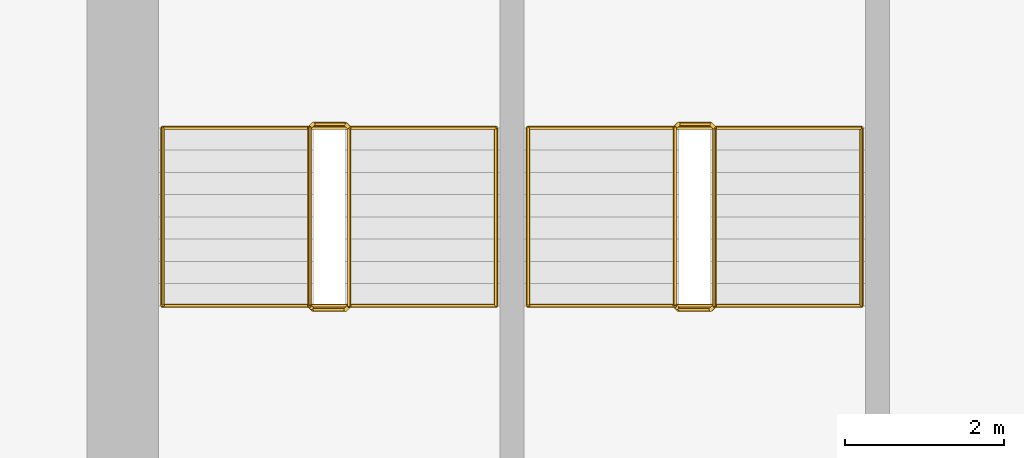
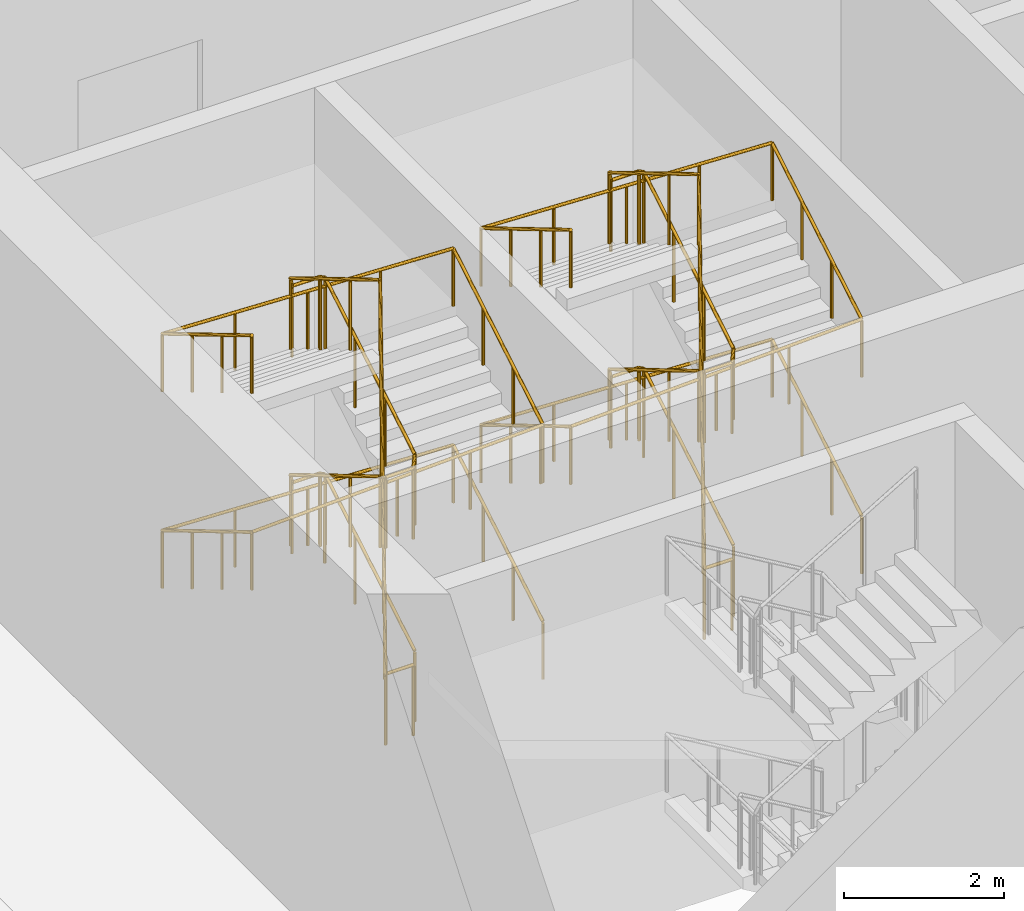
# One storey, part 39 of 47: 4 railings.
"""IFC4 building model written with IfcOpenShell, lengths in metres."""

from ifc_helpers import new_model, si_unit, direction, frame, origin, origin_2d, place, context, subcontext, project, spatial, circle, extrude, material, type_object, element, save


model = new_model("IFC4")

# Units and contexts
model_context = context("Model", 3, precision=1e-05, world=origin(), true_north=direction((0.0, 1.0)))
body_context = subcontext(model_context, "Body", "Model", "MODEL_VIEW")
ifc_project = project(units=[si_unit("LENGTHUNIT", "METRE"), si_unit("AREAUNIT", "SQUARE_METRE"), si_unit("VOLUMEUNIT", "CUBIC_METRE"), si_unit("PLANEANGLEUNIT", "RADIAN"), si_unit("MASSUNIT", "GRAM", prefix="KILO")], contexts=[model_context])

# Site, building, storey
site_placement = place(None, origin())
site = spatial("IfcSite", under=ifc_project, at=site_placement, CompositionType="ELEMENT")
building_placement = place(site_placement, origin())
building = spatial("IfcBuilding", under=site, at=building_placement, Name="Hunhe Ridgeline Campus", CompositionType="ELEMENT")
storey_placement = place(building_placement, origin())
storey = spatial("IfcBuildingStorey", under=building, at=storey_placement, Name="L00", CompositionType="ELEMENT", Elevation=0.0)

# Railings
ifc_material_1 = material(Name="Stainless steel balustrade", Category="steel")
railing_type_1 = type_object("IfcRailingType", Name="Stair guard 1100 stainless", PredefinedType="GUARDRAIL", material=ifc_material_1)
railing_1_placement = place(storey_placement, frame((3.300048828125, 65.449951171875, 0.166748046875)))
element("IfcRailing", 1, at=railing_1_placement, inside=storey, type_object=railing_type_1, Name="L00 stair S3 guard", PredefinedType="GUARDRAIL", context=body_context, shape_type="SweptSolid", body=[
    extrude(circle(Radius=0.02392578125, at=origin_2d()), frame((0.0, 0.0, 1.076171875), z_axis=(0.0, 0.859305625298, 0.511462454469), x_axis=(-1.0, 0.0, 0.0)), (0.0, 0.0, 1.0), 2.606689453125),
    extrude(circle(Radius=0.02392578125, at=origin_2d()), frame((0.0, 2.239990234375, 2.4091796875), z_axis=(-0.707106781187, 0.707106781187, 0.0), x_axis=(-0.707106781187, -0.707106781187, 0.0)), (0.0, 0.0, 1.0), 0.07080078125),
    extrude(circle(Radius=0.02392578125, at=origin_2d()), frame((-0.050048828125, 2.2900390625, 2.4091796875), z_axis=(-1.0, 0.0, 0.0), x_axis=(0.0, -1.0, 0.0)), (0.0, 0.0, 1.0), 0.39990234375),
    extrude(circle(Radius=0.02392578125, at=origin_2d()), frame((-0.449951171875, 2.2900390625, 2.4091796875), z_axis=(-0.27628659633, -0.27628659633, 0.920506074601), x_axis=(0.707106781187, -0.707106781187, 0.0)), (0.0, 0.0, 1.0), 0.18115234375),
    extrude(circle(Radius=0.02392578125, at=origin_2d()), frame((-0.5, 2.239990234375, 2.576171875), z_axis=(0.0, -0.859305625298, 0.511462454469), x_axis=(1.0, 0.0, 0.0)), (0.0, 0.0, 1.0), 2.606689453125),
    extrude(circle(Radius=0.02392578125, at=origin_2d()), frame((-0.5, 0.0, 3.9091796875), z_axis=(0.707106781187, -0.707106781187, 0.0), x_axis=(0.707106781187, 0.707106781187, 0.0)), (0.0, 0.0, 1.0), 0.07080078125),
    extrude(circle(Radius=0.02392578125, at=origin_2d()), frame((-0.449951171875, -0.050048828125, 3.9091796875), z_axis=(1.0, 0.0, 0.0), x_axis=(0.0, 1.0, 0.0)), (0.0, 0.0, 1.0), 0.39990234375),
    extrude(circle(Radius=0.02392578125, at=origin_2d()), frame((-0.050048828125, -0.050048828125, 3.9091796875), z_axis=(0.27628659633, 0.27628659633, 0.920506074601), x_axis=(-0.707106781187, 0.707106781187, 0.0)), (0.0, 0.0, 1.0), 0.18115234375),
    extrude(circle(Radius=0.02392578125, at=origin_2d()), frame((0.0, 0.0, 4.076171875), z_axis=(0.0, 0.859305625298, 0.511462454469), x_axis=(-1.0, 0.0, 0.0)), (0.0, 0.0, 1.0), 2.606689453125),
    extrude(circle(Radius=0.02392578125, at=origin_2d()), frame((0.0, 2.239990234375, 5.4091796875), z_axis=(-0.707106781187, 0.707106781187, 0.0), x_axis=(-0.707106781187, -0.707106781187, 0.0)), (0.0, 0.0, 1.0), 0.07080078125),
    extrude(circle(Radius=0.02392578125, at=origin_2d()), frame((-0.050048828125, 2.2900390625, 5.4091796875), z_axis=(-1.0, 0.0, 0.0), x_axis=(0.0, -1.0, 0.0)), (0.0, 0.0, 1.0), 0.39990234375),
    extrude(circle(Radius=0.02392578125, at=origin_2d()), frame((-0.449951171875, 2.2900390625, 5.4091796875), z_axis=(-0.27628659633, -0.27628659633, 0.920506074601), x_axis=(0.707106781187, -0.707106781187, 0.0)), (0.0, 0.0, 1.0), 0.18115234375),
    extrude(circle(Radius=0.02392578125, at=origin_2d()), frame((-0.5, 2.239990234375, 5.576171875), z_axis=(0.0, -0.859305625298, 0.511462454469), x_axis=(1.0, 0.0, 0.0)), (0.0, 0.0, 1.0), 2.606689453125),
    extrude(circle(Radius=0.02392578125, at=origin_2d()), frame((-0.5, 0.0, 6.9091796875), z_axis=(0.008340891014, -0.008340891014, -0.999930427117), x_axis=(1.0, 0.0, 0.0)), (0.0, 0.0, 1.0), 6.00048828125),
    extrude(circle(Radius=0.02392578125, at=origin_2d()), frame((-0.449951171875, -0.050048828125, 0.9091796875), z_axis=(1.0, 0.0, 0.0), x_axis=(0.0, 1.0, 0.0)), (0.0, 0.0, 1.0), 0.39990234375),
    extrude(circle(Radius=0.02099609375, at=origin_2d()), origin(), (0.0, 0.0, 1.0), 1.052001953125),
    extrude(circle(Radius=0.02099609375, at=origin_2d()), frame((0.0, 0.74658203125, 0.4443359375)), (0.0, 0.0, 1.0), 1.052001953125),
    extrude(circle(Radius=0.02099609375, at=origin_2d()), frame((0.0, 1.493408203125, 0.888916015625)), (0.0, 0.0, 1.0), 1.052001953125),
    extrude(circle(Radius=0.02099609375, at=origin_2d()), frame((0.0, 2.239990234375, 1.333251953125)), (0.0, 0.0, 1.0), 1.052001953125),
    extrude(circle(Radius=0.02099609375, at=origin_2d()), frame((-0.050048828125, 2.2900390625, 1.333251953125)), (0.0, 0.0, 1.0), 1.052001953125),
    extrude(circle(Radius=0.02099609375, at=origin_2d()), frame((-0.449951171875, 2.2900390625, 1.333251953125)), (0.0, 0.0, 1.0), 1.052001953125),
    extrude(circle(Radius=0.02099609375, at=origin_2d()), frame((-0.5, 2.239990234375, 1.5)), (0.0, 0.0, 1.0), 1.052001953125),
    extrude(circle(Radius=0.02099609375, at=origin_2d()), frame((-0.5, 1.493408203125, 1.9443359375)), (0.0, 0.0, 1.0), 1.052001953125),
    extrude(circle(Radius=0.02099609375, at=origin_2d()), frame((-0.5, 0.74658203125, 2.388916015625)), (0.0, 0.0, 1.0), 1.052001953125),
    extrude(circle(Radius=0.02099609375, at=origin_2d()), frame((-0.5, 0.0, 2.833251953125)), (0.0, 0.0, 1.0), 1.052001953125),
    extrude(circle(Radius=0.02099609375, at=origin_2d()), frame((-0.449951171875, -0.050048828125, 2.833251953125)), (0.0, 0.0, 1.0), 1.052001953125),
    extrude(circle(Radius=0.02099609375, at=origin_2d()), frame((-0.050048828125, -0.050048828125, 2.833251953125)), (0.0, 0.0, 1.0), 1.052001953125),
    extrude(circle(Radius=0.02099609375, at=origin_2d()), frame((0.0, 0.0, 3.0)), (0.0, 0.0, 1.0), 1.052001953125),
    extrude(circle(Radius=0.02099609375, at=origin_2d()), frame((0.0, 0.74658203125, 3.4443359375)), (0.0, 0.0, 1.0), 1.052001953125),
    extrude(circle(Radius=0.02099609375, at=origin_2d()), frame((0.0, 1.493408203125, 3.888916015625)), (0.0, 0.0, 1.0), 1.052001953125),
    extrude(circle(Radius=0.02099609375, at=origin_2d()), frame((0.0, 2.239990234375, 4.333251953125)), (0.0, 0.0, 1.0), 1.052001953125),
    extrude(circle(Radius=0.02099609375, at=origin_2d()), frame((-0.050048828125, 2.2900390625, 4.333251953125)), (0.0, 0.0, 1.0), 1.052001953125),
    extrude(circle(Radius=0.02099609375, at=origin_2d()), frame((-0.449951171875, 2.2900390625, 4.333251953125)), (0.0, 0.0, 1.0), 1.052001953125),
    extrude(circle(Radius=0.02099609375, at=origin_2d()), frame((-0.5, 2.239990234375, 4.5)), (0.0, 0.0, 1.0), 1.052001953125),
    extrude(circle(Radius=0.02099609375, at=origin_2d()), frame((-0.5, 1.493408203125, 4.9443359375)), (0.0, 0.0, 1.0), 1.052001953125),
    extrude(circle(Radius=0.02099609375, at=origin_2d()), frame((-0.5, 0.74658203125, 5.388916015625)), (0.0, 0.0, 1.0), 1.052001953125),
    extrude(circle(Radius=0.02099609375, at=origin_2d()), frame((-0.5, 0.0, 5.833251953125)), (0.0, 0.0, 1.0), 1.052001953125),
    extrude(circle(Radius=0.02099609375, at=origin_2d()), frame((-0.49169921875, -0.00830078125, 4.833251953125)), (0.0, 0.0, 1.0), 1.052001953125),
    extrude(circle(Radius=0.02099609375, at=origin_2d()), frame((-0.4833984375, -0.0166015625, 3.833251953125)), (0.0, 0.0, 1.0), 1.052001953125),
    extrude(circle(Radius=0.02099609375, at=origin_2d()), frame((-0.47509765625, -0.02490234375, 2.833251953125)), (0.0, 0.0, 1.0), 1.052001953125),
    extrude(circle(Radius=0.02099609375, at=origin_2d()), frame((-0.466552734375, -0.033447265625, 1.833251953125)), (0.0, 0.0, 1.0), 1.052001953125),
    extrude(circle(Radius=0.02099609375, at=origin_2d()), frame((-0.458251953125, -0.041748046875, 0.833251953125)), (0.0, 0.0, 1.0), 1.052001953125),
    extrude(circle(Radius=0.02099609375, at=origin_2d()), frame((-0.449951171875, -0.050048828125, -0.166748046875)), (0.0, 0.0, 1.0), 1.052001953125),
    extrude(circle(Radius=0.02099609375, at=origin_2d()), frame((-0.050048828125, -0.050048828125, -0.166748046875)), (0.0, 0.0, 1.0), 1.052001953125),
])
railing_2_placement = place(storey_placement, frame((7.89990234375, 65.449951171875, 0.166748046875)))
element("IfcRailing", 2, at=railing_2_placement, inside=storey, type_object=railing_type_1, Name="L00 stair S4 guard", PredefinedType="GUARDRAIL", context=body_context, shape_type="SweptSolid", body=[
    extrude(circle(Radius=0.02392578125, at=origin_2d()), frame((0.0, 0.0, 1.076171875), z_axis=(0.0, 0.859305625298, 0.511462454469), x_axis=(-1.0, 0.0, 0.0)), (0.0, 0.0, 1.0), 2.606689453125),
    extrude(circle(Radius=0.02392578125, at=origin_2d()), frame((0.0, 2.239990234375, 2.4091796875), z_axis=(-0.705375805398, 0.708833529934, 0.0), x_axis=(-0.708833529934, -0.705375805398, 0.0)), (0.0, 0.0, 1.0), 0.070556640625),
    extrude(circle(Radius=0.02392578125, at=origin_2d()), frame((-0.0498046875, 2.2900390625, 2.4091796875), z_axis=(-1.0, 0.0, 0.0), x_axis=(0.0, -1.0, 0.0)), (0.0, 0.0, 1.0), 0.400146484375),
    extrude(circle(Radius=0.02392578125, at=origin_2d()), frame((-0.449951171875, 2.2900390625, 2.4091796875), z_axis=(-0.27628659633, -0.27628659633, 0.920506074601), x_axis=(0.707106781187, -0.707106781187, 0.0)), (0.0, 0.0, 1.0), 0.18115234375),
    extrude(circle(Radius=0.02392578125, at=origin_2d()), frame((-0.5, 2.239990234375, 2.576171875), z_axis=(0.0, -0.859305625298, 0.511462454469), x_axis=(1.0, 0.0, 0.0)), (0.0, 0.0, 1.0), 2.606689453125),
    extrude(circle(Radius=0.02392578125, at=origin_2d()), frame((-0.5, 0.0, 3.9091796875), z_axis=(0.707106781187, -0.707106781187, 0.0), x_axis=(0.707106781187, 0.707106781187, 0.0)), (0.0, 0.0, 1.0), 0.07080078125),
    extrude(circle(Radius=0.02392578125, at=origin_2d()), frame((-0.449951171875, -0.050048828125, 3.9091796875), z_axis=(1.0, 0.0, 0.0), x_axis=(0.0, 1.0, 0.0)), (0.0, 0.0, 1.0), 0.400146484375),
    extrude(circle(Radius=0.02392578125, at=origin_2d()), frame((-0.0498046875, -0.050048828125, 3.9091796875), z_axis=(0.275041040955, 0.276389281352, 0.920848191041), x_axis=(-0.708833529934, 0.705375805398, 0.0)), (0.0, 0.0, 1.0), 0.18115234375),
    extrude(circle(Radius=0.02392578125, at=origin_2d()), frame((0.0, 0.0, 4.076171875), z_axis=(0.0, 0.859305625298, 0.511462454469), x_axis=(-1.0, 0.0, 0.0)), (0.0, 0.0, 1.0), 2.606689453125),
    extrude(circle(Radius=0.02392578125, at=origin_2d()), frame((0.0, 2.239990234375, 5.4091796875), z_axis=(-0.705375805398, 0.708833529934, 0.0), x_axis=(-0.708833529934, -0.705375805398, 0.0)), (0.0, 0.0, 1.0), 0.070556640625),
    extrude(circle(Radius=0.02392578125, at=origin_2d()), frame((-0.0498046875, 2.2900390625, 5.4091796875), z_axis=(-1.0, 0.0, 0.0), x_axis=(0.0, -1.0, 0.0)), (0.0, 0.0, 1.0), 0.400146484375),
    extrude(circle(Radius=0.02392578125, at=origin_2d()), frame((-0.449951171875, 2.2900390625, 5.4091796875), z_axis=(-0.27628659633, -0.27628659633, 0.920506074601), x_axis=(0.707106781187, -0.707106781187, 0.0)), (0.0, 0.0, 1.0), 0.18115234375),
    extrude(circle(Radius=0.02392578125, at=origin_2d()), frame((-0.5, 2.239990234375, 5.576171875), z_axis=(0.0, -0.859305625298, 0.511462454469), x_axis=(1.0, 0.0, 0.0)), (0.0, 0.0, 1.0), 2.606689453125),
    extrude(circle(Radius=0.02392578125, at=origin_2d()), frame((-0.5, 0.0, 6.9091796875), z_axis=(0.008340891014, -0.008340891014, -0.999930427117), x_axis=(1.0, 0.0, 0.0)), (0.0, 0.0, 1.0), 6.00048828125),
    extrude(circle(Radius=0.02392578125, at=origin_2d()), frame((-0.449951171875, -0.050048828125, 0.9091796875), z_axis=(1.0, 0.0, 0.0), x_axis=(0.0, 1.0, 0.0)), (0.0, 0.0, 1.0), 0.400146484375),
    extrude(circle(Radius=0.02099609375, at=origin_2d()), origin(), (0.0, 0.0, 1.0), 1.052001953125),
    extrude(circle(Radius=0.02099609375, at=origin_2d()), frame((0.0, 0.74658203125, 0.4443359375)), (0.0, 0.0, 1.0), 1.052001953125),
    extrude(circle(Radius=0.02099609375, at=origin_2d()), frame((0.0, 1.493408203125, 0.888916015625)), (0.0, 0.0, 1.0), 1.052001953125),
    extrude(circle(Radius=0.02099609375, at=origin_2d()), frame((0.0, 2.239990234375, 1.333251953125)), (0.0, 0.0, 1.0), 1.052001953125),
    extrude(circle(Radius=0.02099609375, at=origin_2d()), frame((-0.0498046875, 2.2900390625, 1.333251953125)), (0.0, 0.0, 1.0), 1.052001953125),
    extrude(circle(Radius=0.02099609375, at=origin_2d()), frame((-0.449951171875, 2.2900390625, 1.333251953125)), (0.0, 0.0, 1.0), 1.052001953125),
    extrude(circle(Radius=0.02099609375, at=origin_2d()), frame((-0.5, 2.239990234375, 1.5)), (0.0, 0.0, 1.0), 1.052001953125),
    extrude(circle(Radius=0.02099609375, at=origin_2d()), frame((-0.5, 1.493408203125, 1.9443359375)), (0.0, 0.0, 1.0), 1.052001953125),
    extrude(circle(Radius=0.02099609375, at=origin_2d()), frame((-0.5, 0.74658203125, 2.388916015625)), (0.0, 0.0, 1.0), 1.052001953125),
    extrude(circle(Radius=0.02099609375, at=origin_2d()), frame((-0.5, 0.0, 2.833251953125)), (0.0, 0.0, 1.0), 1.052001953125),
    extrude(circle(Radius=0.02099609375, at=origin_2d()), frame((-0.449951171875, -0.050048828125, 2.833251953125)), (0.0, 0.0, 1.0), 1.052001953125),
    extrude(circle(Radius=0.02099609375, at=origin_2d()), frame((-0.0498046875, -0.050048828125, 2.833251953125)), (0.0, 0.0, 1.0), 1.052001953125),
    extrude(circle(Radius=0.02099609375, at=origin_2d()), frame((0.0, 0.0, 3.0)), (0.0, 0.0, 1.0), 1.052001953125),
    extrude(circle(Radius=0.02099609375, at=origin_2d()), frame((0.0, 0.74658203125, 3.4443359375)), (0.0, 0.0, 1.0), 1.052001953125),
    extrude(circle(Radius=0.02099609375, at=origin_2d()), frame((0.0, 1.493408203125, 3.888916015625)), (0.0, 0.0, 1.0), 1.052001953125),
    extrude(circle(Radius=0.02099609375, at=origin_2d()), frame((0.0, 2.239990234375, 4.333251953125)), (0.0, 0.0, 1.0), 1.052001953125),
    extrude(circle(Radius=0.02099609375, at=origin_2d()), frame((-0.0498046875, 2.2900390625, 4.333251953125)), (0.0, 0.0, 1.0), 1.052001953125),
    extrude(circle(Radius=0.02099609375, at=origin_2d()), frame((-0.449951171875, 2.2900390625, 4.333251953125)), (0.0, 0.0, 1.0), 1.052001953125),
    extrude(circle(Radius=0.02099609375, at=origin_2d()), frame((-0.5, 2.239990234375, 4.5)), (0.0, 0.0, 1.0), 1.052001953125),
    extrude(circle(Radius=0.02099609375, at=origin_2d()), frame((-0.5, 1.493408203125, 4.9443359375)), (0.0, 0.0, 1.0), 1.052001953125),
    extrude(circle(Radius=0.02099609375, at=origin_2d()), frame((-0.5, 0.74658203125, 5.388916015625)), (0.0, 0.0, 1.0), 1.052001953125),
    extrude(circle(Radius=0.02099609375, at=origin_2d()), frame((-0.5, 0.0, 5.833251953125)), (0.0, 0.0, 1.0), 1.052001953125),
    extrude(circle(Radius=0.02099609375, at=origin_2d()), frame((-0.49169921875, -0.00830078125, 4.833251953125)), (0.0, 0.0, 1.0), 1.052001953125),
    extrude(circle(Radius=0.02099609375, at=origin_2d()), frame((-0.4833984375, -0.0166015625, 3.833251953125)), (0.0, 0.0, 1.0), 1.052001953125),
    extrude(circle(Radius=0.02099609375, at=origin_2d()), frame((-0.47509765625, -0.02490234375, 2.833251953125)), (0.0, 0.0, 1.0), 1.052001953125),
    extrude(circle(Radius=0.02099609375, at=origin_2d()), frame((-0.466552734375, -0.033447265625, 1.833251953125)), (0.0, 0.0, 1.0), 1.052001953125),
    extrude(circle(Radius=0.02099609375, at=origin_2d()), frame((-0.458251953125, -0.041748046875, 0.833251953125)), (0.0, 0.0, 1.0), 1.052001953125),
    extrude(circle(Radius=0.02099609375, at=origin_2d()), frame((-0.449951171875, -0.050048828125, -0.166748046875)), (0.0, 0.0, 1.0), 1.052001953125),
    extrude(circle(Radius=0.02099609375, at=origin_2d()), frame((-0.0498046875, -0.050048828125, -0.166748046875)), (0.0, 0.0, 1.0), 1.052001953125),
])
ifc_material_2 = material(Name="Stainless steel handrail", Category="steel")
railing_type_2 = type_object("IfcRailingType", Name="Stair handrail 900 stainless", PredefinedType="HANDRAIL", material=ifc_material_2)
railing_3_placement = place(storey_placement, frame((5.14990234375, 65.449951171875, 0.166748046875)))
element("IfcRailing", 3, at=railing_3_placement, inside=storey, type_object=railing_type_2, Name="L00 stair S3 handrail", PredefinedType="HANDRAIL", context=body_context, shape_type="SweptSolid", body=[
    extrude(circle(Radius=0.02392578125, at=origin_2d()), frame((0.0, 0.0, 0.8759765625), z_axis=(0.0, 0.859305625298, 0.511462454469), x_axis=(-1.0, 0.0, 0.0)), (0.0, 0.0, 1.0), 2.606689453125),
    extrude(circle(Radius=0.02392578125, at=origin_2d()), frame((0.0, 2.239990234375, 2.208984375), z_axis=(-0.999212791134, 0.0, 0.039671123429), x_axis=(0.0, -1.0, 0.0)), (0.0, 0.0, 1.0), 4.203369140625),
    extrude(circle(Radius=0.02392578125, at=origin_2d()), frame((-4.199951171875, 2.239990234375, 2.3759765625), z_axis=(0.0, -0.859305625298, 0.511462454469), x_axis=(1.0, 0.0, 0.0)), (0.0, 0.0, 1.0), 2.606689453125),
    extrude(circle(Radius=0.02392578125, at=origin_2d()), frame((-4.199951171875, 0.0, 3.708984375), z_axis=(0.999212791134, 0.0, 0.039671123429), x_axis=(0.0, 1.0, 0.0)), (0.0, 0.0, 1.0), 4.203369140625),
    extrude(circle(Radius=0.02392578125, at=origin_2d()), frame((0.0, 0.0, 3.8759765625), z_axis=(0.0, 0.859305625298, 0.511462454469), x_axis=(-1.0, 0.0, 0.0)), (0.0, 0.0, 1.0), 2.606689453125),
    extrude(circle(Radius=0.02392578125, at=origin_2d()), frame((0.0, 2.239990234375, 5.208984375), z_axis=(-0.999212791134, 0.0, 0.039671123429), x_axis=(0.0, -1.0, 0.0)), (0.0, 0.0, 1.0), 4.203369140625),
    extrude(circle(Radius=0.02392578125, at=origin_2d()), frame((-4.199951171875, 2.239990234375, 5.3759765625), z_axis=(0.0, -0.859305625298, 0.511462454469), x_axis=(1.0, 0.0, 0.0)), (0.0, 0.0, 1.0), 2.606689453125),
    extrude(circle(Radius=0.02099609375, at=origin_2d()), origin(), (0.0, 0.0, 1.0), 0.851806640625),
    extrude(circle(Radius=0.02099609375, at=origin_2d()), frame((0.0, 0.74658203125, 0.4443359375)), (0.0, 0.0, 1.0), 0.851806640625),
    extrude(circle(Radius=0.02099609375, at=origin_2d()), frame((0.0, 1.493408203125, 0.888916015625)), (0.0, 0.0, 1.0), 0.851806640625),
    extrude(circle(Radius=0.02099609375, at=origin_2d()), frame((0.0, 2.239990234375, 1.333251953125)), (0.0, 0.0, 1.0), 0.851806640625),
    extrude(circle(Radius=0.02099609375, at=origin_2d()), frame((-1.050048828125, 2.239990234375, 1.375)), (0.0, 0.0, 1.0), 0.851806640625),
    extrude(circle(Radius=0.02099609375, at=origin_2d()), frame((-2.10009765625, 2.239990234375, 1.41650390625)), (0.0, 0.0, 1.0), 0.851806640625),
    extrude(circle(Radius=0.02099609375, at=origin_2d()), frame((-3.14990234375, 2.239990234375, 1.458251953125)), (0.0, 0.0, 1.0), 0.851806640625),
    extrude(circle(Radius=0.02099609375, at=origin_2d()), frame((-4.199951171875, 2.239990234375, 1.5)), (0.0, 0.0, 1.0), 0.851806640625),
    extrude(circle(Radius=0.02099609375, at=origin_2d()), frame((-4.199951171875, 1.493408203125, 1.9443359375)), (0.0, 0.0, 1.0), 0.851806640625),
    extrude(circle(Radius=0.02099609375, at=origin_2d()), frame((-4.199951171875, 0.74658203125, 2.388916015625)), (0.0, 0.0, 1.0), 0.851806640625),
    extrude(circle(Radius=0.02099609375, at=origin_2d()), frame((-4.199951171875, 0.0, 2.833251953125)), (0.0, 0.0, 1.0), 0.851806640625),
    extrude(circle(Radius=0.02099609375, at=origin_2d()), frame((-3.14990234375, 0.0, 2.875)), (0.0, 0.0, 1.0), 0.851806640625),
    extrude(circle(Radius=0.02099609375, at=origin_2d()), frame((-2.10009765625, 0.0, 2.91650390625)), (0.0, 0.0, 1.0), 0.851806640625),
    extrude(circle(Radius=0.02099609375, at=origin_2d()), frame((-1.050048828125, 0.0, 2.958251953125)), (0.0, 0.0, 1.0), 0.851806640625),
    extrude(circle(Radius=0.02099609375, at=origin_2d()), frame((0.0, 0.0, 3.0)), (0.0, 0.0, 1.0), 0.851806640625),
    extrude(circle(Radius=0.02099609375, at=origin_2d()), frame((0.0, 0.74658203125, 3.4443359375)), (0.0, 0.0, 1.0), 0.851806640625),
    extrude(circle(Radius=0.02099609375, at=origin_2d()), frame((0.0, 1.493408203125, 3.888916015625)), (0.0, 0.0, 1.0), 0.851806640625),
    extrude(circle(Radius=0.02099609375, at=origin_2d()), frame((0.0, 2.239990234375, 4.333251953125)), (0.0, 0.0, 1.0), 0.851806640625),
    extrude(circle(Radius=0.02099609375, at=origin_2d()), frame((-1.050048828125, 2.239990234375, 4.375)), (0.0, 0.0, 1.0), 0.851806640625),
    extrude(circle(Radius=0.02099609375, at=origin_2d()), frame((-2.10009765625, 2.239990234375, 4.41650390625)), (0.0, 0.0, 1.0), 0.851806640625),
    extrude(circle(Radius=0.02099609375, at=origin_2d()), frame((-3.14990234375, 2.239990234375, 4.458251953125)), (0.0, 0.0, 1.0), 0.851806640625),
    extrude(circle(Radius=0.02099609375, at=origin_2d()), frame((-4.199951171875, 2.239990234375, 4.5)), (0.0, 0.0, 1.0), 0.851806640625),
    extrude(circle(Radius=0.02099609375, at=origin_2d()), frame((-4.199951171875, 1.493408203125, 4.9443359375)), (0.0, 0.0, 1.0), 0.851806640625),
    extrude(circle(Radius=0.02099609375, at=origin_2d()), frame((-4.199951171875, 0.74658203125, 5.388916015625)), (0.0, 0.0, 1.0), 0.851806640625),
    extrude(circle(Radius=0.02099609375, at=origin_2d()), frame((-4.199951171875, 0.0, 5.833251953125)), (0.0, 0.0, 1.0), 0.851806640625),
])
railing_4_placement = place(storey_placement, frame((9.75, 65.449951171875, 0.166748046875)))
element("IfcRailing", 4, at=railing_4_placement, inside=storey, type_object=railing_type_2, Name="L00 stair S4 handrail", PredefinedType="HANDRAIL", context=body_context, shape_type="SweptSolid", body=[
    extrude(circle(Radius=0.02392578125, at=origin_2d()), frame((0.0, 0.0, 0.8759765625), z_axis=(0.0, 0.859305625298, 0.511462454469), x_axis=(-1.0, 0.0, 0.0)), (0.0, 0.0, 1.0), 2.606689453125),
    extrude(circle(Radius=0.02392578125, at=origin_2d()), frame((0.0, 2.239990234375, 2.208984375), z_axis=(-0.999212791134, 0.0, 0.039671123429), x_axis=(0.0, -1.0, 0.0)), (0.0, 0.0, 1.0), 4.203369140625),
    extrude(circle(Radius=0.02392578125, at=origin_2d()), frame((-4.199951171875, 2.239990234375, 2.3759765625), z_axis=(0.0, -0.859305625298, 0.511462454469), x_axis=(1.0, 0.0, 0.0)), (0.0, 0.0, 1.0), 2.606689453125),
    extrude(circle(Radius=0.02392578125, at=origin_2d()), frame((-4.199951171875, 0.0, 3.708984375), z_axis=(0.999212791134, 0.0, 0.039671123429), x_axis=(0.0, 1.0, 0.0)), (0.0, 0.0, 1.0), 4.203369140625),
    extrude(circle(Radius=0.02392578125, at=origin_2d()), frame((0.0, 0.0, 3.8759765625), z_axis=(0.0, 0.859305625298, 0.511462454469), x_axis=(-1.0, 0.0, 0.0)), (0.0, 0.0, 1.0), 2.606689453125),
    extrude(circle(Radius=0.02392578125, at=origin_2d()), frame((0.0, 2.239990234375, 5.208984375), z_axis=(-0.999212791134, 0.0, 0.039671123429), x_axis=(0.0, -1.0, 0.0)), (0.0, 0.0, 1.0), 4.203369140625),
    extrude(circle(Radius=0.02392578125, at=origin_2d()), frame((-4.199951171875, 2.239990234375, 5.3759765625), z_axis=(0.0, -0.859305625298, 0.511462454469), x_axis=(1.0, 0.0, 0.0)), (0.0, 0.0, 1.0), 2.606689453125),
    extrude(circle(Radius=0.02099609375, at=origin_2d()), origin(), (0.0, 0.0, 1.0), 0.851806640625),
    extrude(circle(Radius=0.02099609375, at=origin_2d()), frame((0.0, 0.74658203125, 0.4443359375)), (0.0, 0.0, 1.0), 0.851806640625),
    extrude(circle(Radius=0.02099609375, at=origin_2d()), frame((0.0, 1.493408203125, 0.888916015625)), (0.0, 0.0, 1.0), 0.851806640625),
    extrude(circle(Radius=0.02099609375, at=origin_2d()), frame((0.0, 2.239990234375, 1.333251953125)), (0.0, 0.0, 1.0), 0.851806640625),
    extrude(circle(Radius=0.02099609375, at=origin_2d()), frame((-1.050048828125, 2.239990234375, 1.375)), (0.0, 0.0, 1.0), 0.851806640625),
    extrude(circle(Radius=0.02099609375, at=origin_2d()), frame((-2.10009765625, 2.239990234375, 1.41650390625)), (0.0, 0.0, 1.0), 0.851806640625),
    extrude(circle(Radius=0.02099609375, at=origin_2d()), frame((-3.14990234375, 2.239990234375, 1.458251953125)), (0.0, 0.0, 1.0), 0.851806640625),
    extrude(circle(Radius=0.02099609375, at=origin_2d()), frame((-4.199951171875, 2.239990234375, 1.5)), (0.0, 0.0, 1.0), 0.851806640625),
    extrude(circle(Radius=0.02099609375, at=origin_2d()), frame((-4.199951171875, 1.493408203125, 1.9443359375)), (0.0, 0.0, 1.0), 0.851806640625),
    extrude(circle(Radius=0.02099609375, at=origin_2d()), frame((-4.199951171875, 0.74658203125, 2.388916015625)), (0.0, 0.0, 1.0), 0.851806640625),
    extrude(circle(Radius=0.02099609375, at=origin_2d()), frame((-4.199951171875, 0.0, 2.833251953125)), (0.0, 0.0, 1.0), 0.851806640625),
    extrude(circle(Radius=0.02099609375, at=origin_2d()), frame((-3.14990234375, 0.0, 2.875)), (0.0, 0.0, 1.0), 0.851806640625),
    extrude(circle(Radius=0.02099609375, at=origin_2d()), frame((-2.10009765625, 0.0, 2.91650390625)), (0.0, 0.0, 1.0), 0.851806640625),
    extrude(circle(Radius=0.02099609375, at=origin_2d()), frame((-1.050048828125, 0.0, 2.958251953125)), (0.0, 0.0, 1.0), 0.851806640625),
    extrude(circle(Radius=0.02099609375, at=origin_2d()), frame((0.0, 0.0, 3.0)), (0.0, 0.0, 1.0), 0.851806640625),
    extrude(circle(Radius=0.02099609375, at=origin_2d()), frame((0.0, 0.74658203125, 3.4443359375)), (0.0, 0.0, 1.0), 0.851806640625),
    extrude(circle(Radius=0.02099609375, at=origin_2d()), frame((0.0, 1.493408203125, 3.888916015625)), (0.0, 0.0, 1.0), 0.851806640625),
    extrude(circle(Radius=0.02099609375, at=origin_2d()), frame((0.0, 2.239990234375, 4.333251953125)), (0.0, 0.0, 1.0), 0.851806640625),
    extrude(circle(Radius=0.02099609375, at=origin_2d()), frame((-1.050048828125, 2.239990234375, 4.375)), (0.0, 0.0, 1.0), 0.851806640625),
    extrude(circle(Radius=0.02099609375, at=origin_2d()), frame((-2.10009765625, 2.239990234375, 4.41650390625)), (0.0, 0.0, 1.0), 0.851806640625),
    extrude(circle(Radius=0.02099609375, at=origin_2d()), frame((-3.14990234375, 2.239990234375, 4.458251953125)), (0.0, 0.0, 1.0), 0.851806640625),
    extrude(circle(Radius=0.02099609375, at=origin_2d()), frame((-4.199951171875, 2.239990234375, 4.5)), (0.0, 0.0, 1.0), 0.851806640625),
    extrude(circle(Radius=0.02099609375, at=origin_2d()), frame((-4.199951171875, 1.493408203125, 4.9443359375)), (0.0, 0.0, 1.0), 0.851806640625),
    extrude(circle(Radius=0.02099609375, at=origin_2d()), frame((-4.199951171875, 0.74658203125, 5.388916015625)), (0.0, 0.0, 1.0), 0.851806640625),
    extrude(circle(Radius=0.02099609375, at=origin_2d()), frame((-4.199951171875, 0.0, 5.833251953125)), (0.0, 0.0, 1.0), 0.851806640625),
])

save(model, "model.ifc")
